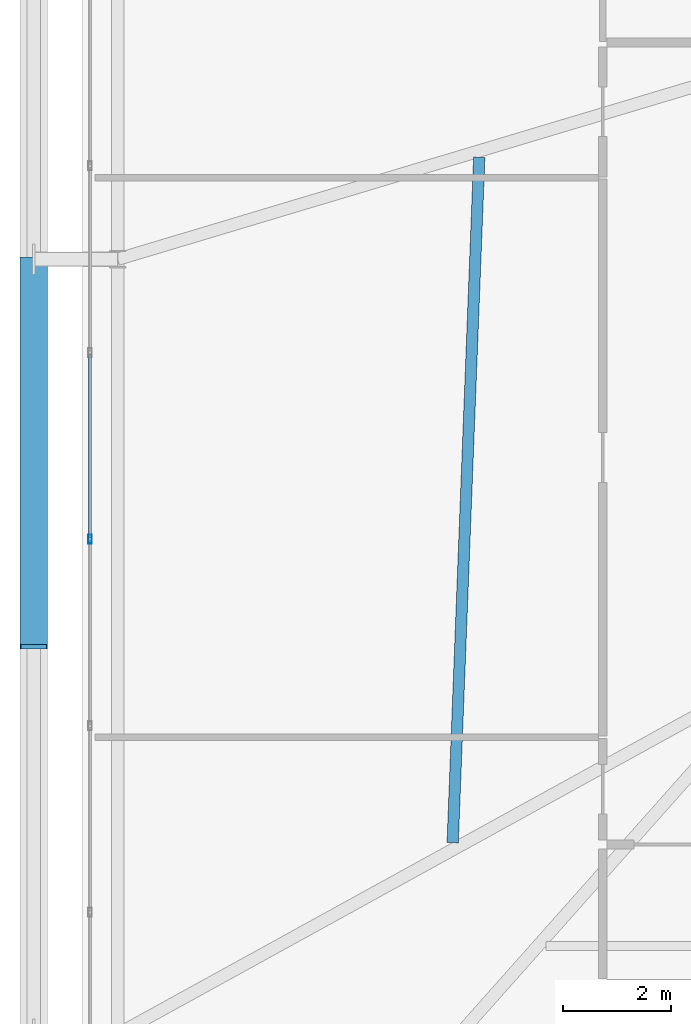
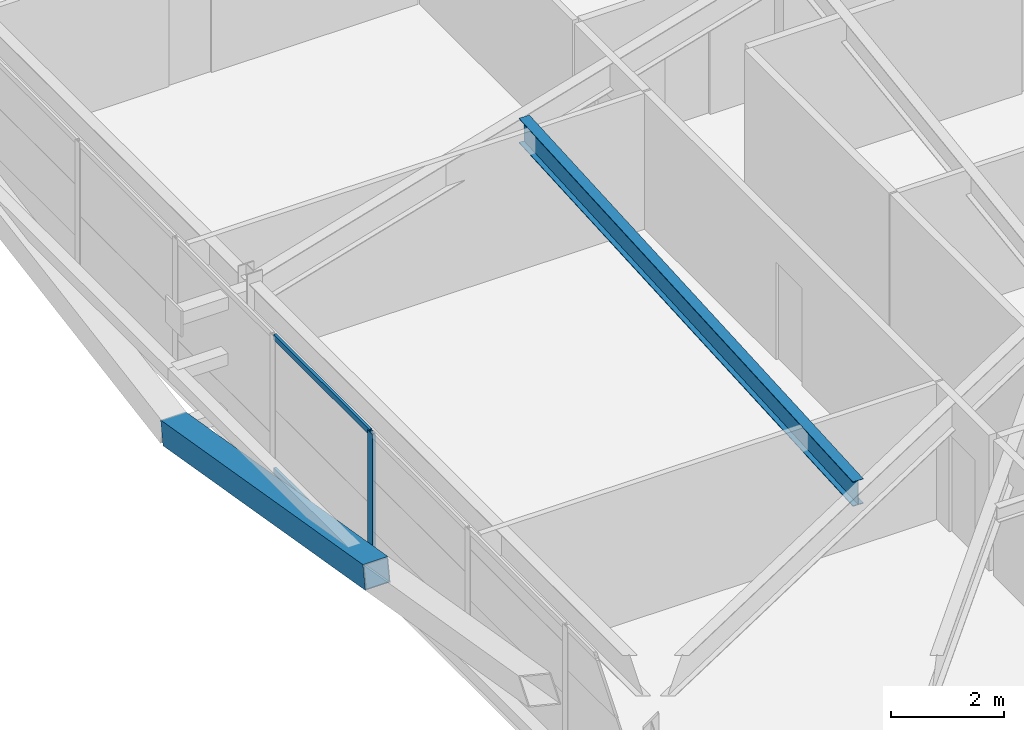
# One storey, part 10 of 59: 4 members, 1 beam, 1 element without a shape of its own.
"""IFC4 building model written with IfcOpenShell, lengths in metres."""

from ifc_helpers import new_model, si_unit, direction, frame, origin, origin_2d, place, context, subcontext, project, spatial, hollow_rectangle, i_section, extrude, source, transform, mapped, material, layer, layer_set, material_profile, profile_set, type_object, element, aggregate, save


model = new_model("IFC4")

# Units and contexts
model_context = context("Model", 3, precision=1e-05, world=origin(), true_north=direction((0.0, 1.0)))
body_context = subcontext(model_context, "Body", "Model", "MODEL_VIEW")
ifc_project = project(units=[si_unit("LENGTHUNIT", "METRE"), si_unit("AREAUNIT", "SQUARE_METRE"), si_unit("VOLUMEUNIT", "CUBIC_METRE"), si_unit("PLANEANGLEUNIT", "RADIAN"), si_unit("MASSUNIT", "GRAM", prefix="KILO")], contexts=[model_context])

# Site, building, storey
site_placement = place(None, origin())
site = spatial("IfcSite", under=ifc_project, at=site_placement, CompositionType="ELEMENT")
building_placement = place(site_placement, origin())
building = spatial("IfcBuilding", under=site, at=building_placement, Name="Taldren Reach Tower", CompositionType="ELEMENT")
storey_placement = place(building_placement, frame((0.0, 0.0, 26.25)))
storey = spatial("IfcBuildingStorey", under=building, at=storey_placement, Name="L07", CompositionType="ELEMENT", Elevation=26.25)

# Beam
ifc_material_1 = material(Name="Steel Gr 350 (350PLUS)", Category="steel")
ifc_material_profile_1 = material_profile(ifc_material_1, i_section(OverallWidth=0.208984375, OverallDepth=0.532958984375, WebThickness=0.01025390625, FlangeThickness=0.015625, at=origin_2d()), Name="530UB92.4")
ifc_profile_set_1 = profile_set([ifc_material_profile_1], Name="Steel Gr 350 (350PLUS)")
beam_type = type_object("IfcBeamType", Name="BM-UB530A", PredefinedType="BEAM", material=ifc_profile_set_1)
shared_shape_1 = source(origin(), body_context, "Body", "SweptSolid", [
    extrude(i_section(OverallWidth=0.208984375, OverallDepth=0.532958984375, WebThickness=0.01025390625, FlangeThickness=0.015625, at=origin_2d()), origin(), (0.0, 0.0, 1.0), 12.65625),
])
beam_placement = place(storey_placement, frame((11.830078125, 9.23291015625, 2.66357421875), z_axis=(0.0387346395, 0.99924953225, 0.0), x_axis=(-0.99924953225, 0.0387346395, 0.0)))
element("IfcBeam", 1, at=beam_placement, inside=storey, type_object=beam_type, Name="Secondary floor beam B1 J6 L07", PredefinedType="BEAM", context=body_context, shape_type="MappedRepresentation", body=[
    mapped(shared_shape_1, transform((0.0, 0.0, 0.0), scale=1.0)),
])

# Member
ifc_material_2 = material(Name="Steel Gr 450 (C450L0)", Category="steel")
ifc_material_profile_2 = material_profile(ifc_material_2, hollow_rectangle(XDim=0.510009765625, YDim=0.510009765625, WallThickness=0.02001953125, at=origin_2d()), Name="510x510x20.0SHS")
ifc_profile_set_2 = profile_set([ifc_material_profile_2], Name="Steel Gr 450 (C450L0)")
member_type_1 = type_object("IfcMemberType", Name="MB-EXO508", PredefinedType="BRACE", material=ifc_profile_set_2)
shared_shape_2 = source(origin(), body_context, "Body", "SweptSolid", [
    extrude(hollow_rectangle(XDim=0.510009765625, YDim=0.510009765625, WallThickness=0.02001953125, at=origin_2d()), origin(), (0.0, 0.0, 1.0), 7.25244140625),
])
member_1_placement = place(storey_placement, frame((4.10009765625, 20.0, 0.219970703125), z_axis=(0.0, -0.985864855729, 0.167542490848), x_axis=(1.0, 0.0, 0.0)))
element("IfcMember", 2, at=member_1_placement, inside=storey, type_object=member_type_1, Name="Exoskeleton Diagrid Brace B1-W1 L07", PredefinedType="BRACE", context=body_context, shape_type="MappedRepresentation", body=[
    mapped(shared_shape_2, transform((0.0, 0.0, 0.0), scale=1.0)),
])

# Curtain wall, members
ifc_material_3 = material(Name="Aluminium and Low-E Glass Unitised System", Category="aluminium")
ifc_layer = layer(ifc_material_3, 0.159912109375)
ifc_layer_set = layer_set([ifc_layer], Name="Aluminium and Low-E Glass Unitised System")
curtain_wall_type = type_object("IfcCurtainWallType", Name="CW-SYS-2", PredefinedType="NOTDEFINED", material=ifc_layer_set)
curtain_wall_placement = place(storey_placement, origin())
curtain_wall = element("IfcCurtainWall", 3, at=curtain_wall_placement, inside=storey, type_object=curtain_wall_type, Name="Unitised curtain wall CW-L07-W", PredefinedType="NOTDEFINED")
ifc_material_4 = material(Name="Anodised Aluminium 6063-T6", Category="aluminium")
ifc_material_profile_3 = material_profile(ifc_material_4, hollow_rectangle(XDim=0.06494140625, YDim=0.1650390625, WallThickness=0.00390625, at=origin_2d()), Name="ALU-165x65x4RHS")
ifc_profile_set_3 = profile_set([ifc_material_profile_3], Name="Anodised Aluminium 6063-T6")
member_type_2 = type_object("IfcMemberType", Name="CW-MUL-165", PredefinedType="MULLION", material=ifc_profile_set_3)
shared_shape_3 = source(origin(), body_context, "Body", "SweptSolid", [
    extrude(hollow_rectangle(XDim=0.06494140625, YDim=0.1650390625, WallThickness=0.00390625, at=origin_2d()), origin(), (0.0, 0.0, 1.0), 2.929931640625),
])
member_2_placement = place(storey_placement, frame((5.139892578125, 14.833251953125, 0.0), z_axis=(0.0, 0.0, 1.0), x_axis=(1.0, 0.0, 0.0)))
member_2 = element("IfcMember", 4, at=member_2_placement, type_object=member_type_2, Name="CW-2 mullion 7", PredefinedType="MULLION", context=body_context, shape_type="MappedRepresentation", body=[
    mapped(shared_shape_3, transform((0.0, 0.0, 0.0), scale=1.0)),
])
ifc_material_profile_4 = material_profile(ifc_material_4, hollow_rectangle(XDim=0.054931640625, YDim=0.1201171875, WallThickness=0.0029296875, at=origin_2d()), Name="ALU-120x55x3RHS")
ifc_profile_set_4 = profile_set([ifc_material_profile_4], Name="Anodised Aluminium 6063-T6")
member_type_3 = type_object("IfcMemberType", Name="CW-TRN-135", PredefinedType="USERDEFINED", material=ifc_profile_set_4)
shared_shape_4 = source(origin(), body_context, "Body", "SweptSolid", [
    extrude(hollow_rectangle(XDim=0.054931640625, YDim=0.1201171875, WallThickness=0.0029296875, at=origin_2d()), origin(), (0.0, 0.0, 1.0), 3.379638671875),
])
member_3_placement = place(storey_placement, frame((5.139892578125, 18.245361328125, 0.027587890625), z_axis=(0.0, -1.0, 0.0), x_axis=(1.0, 0.0, 0.0)))
member_3 = element("IfcMember", 5, at=member_3_placement, type_object=member_type_3, Name="CW-2 transom 6.1", ObjectType="TRANSOM", PredefinedType="USERDEFINED", context=body_context, shape_type="MappedRepresentation", body=[
    mapped(shared_shape_4, transform((0.0, 0.0, 0.0), scale=1.0)),
])
member_4_placement = place(storey_placement, frame((5.139892578125, 18.245361328125, 2.902587890625), z_axis=(0.0, -1.0, 0.0), x_axis=(1.0, 0.0, 0.0)))
member_4 = element("IfcMember", 6, at=member_4_placement, type_object=member_type_3, Name="CW-2 transom 6.2", ObjectType="TRANSOM", PredefinedType="USERDEFINED", context=body_context, shape_type="MappedRepresentation", body=[
    mapped(shared_shape_4, transform((0.0, 0.0, 0.0), scale=1.0)),
])
aggregate(curtain_wall, [member_2, member_3, member_4])

save(model, "model.ifc")
